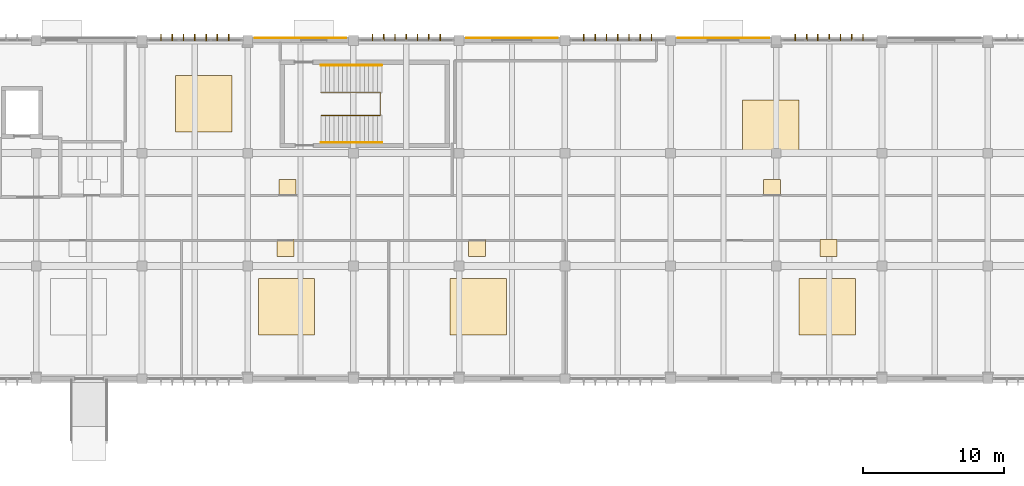
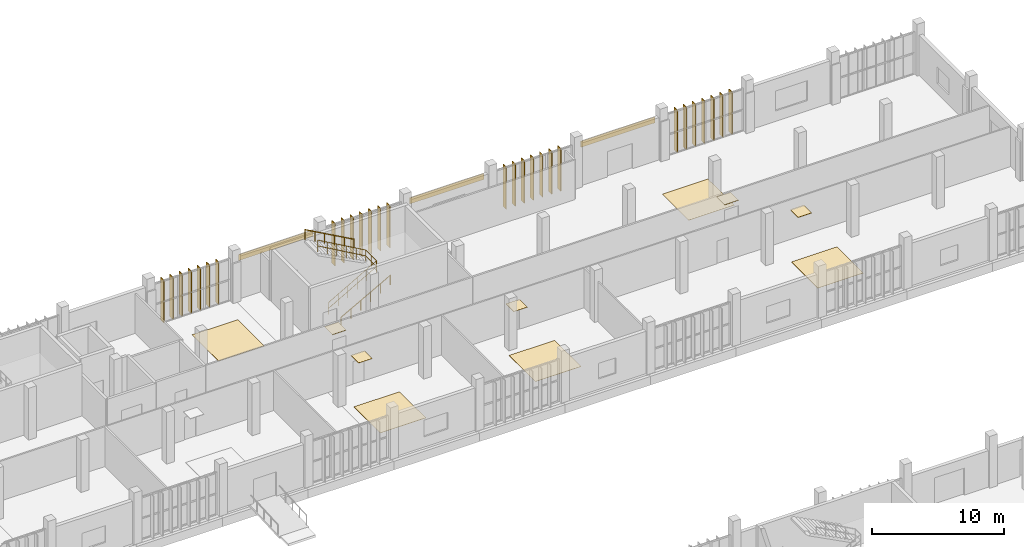
# One storey, part 67 of 72: 28 shading devices, 13 coverings, 3 railings.
"""IFC4 building model written with IfcOpenShell, lengths in metres."""

from ifc_helpers import new_model, si_unit, direction, frame, origin, origin_2d, place, context, subcontext, project, spatial, rectangle, circle, extrude, material, layer, layer_set, material_profile, profile_set, type_object, element, save


model = new_model("IFC4")

# Units and contexts
model_context = context("Model", 3, precision=1e-05, world=origin(), true_north=direction((0.0, 1.0)))
body_context = subcontext(model_context, "Body", "Model", "MODEL_VIEW")
ifc_project = project(units=[si_unit("LENGTHUNIT", "METRE"), si_unit("AREAUNIT", "SQUARE_METRE"), si_unit("VOLUMEUNIT", "CUBIC_METRE"), si_unit("PLANEANGLEUNIT", "RADIAN"), si_unit("MASSUNIT", "GRAM", prefix="KILO")], contexts=[model_context])

# Site, building, storey
site_placement = place(None, origin())
site = spatial("IfcSite", under=ifc_project, at=site_placement, CompositionType="ELEMENT")
building_placement = place(site_placement, origin())
building = spatial("IfcBuilding", under=site, at=building_placement, Name="Vourika Railside Aquatics Centre", CompositionType="ELEMENT")
storey_placement = place(building_placement, origin())
storey = spatial("IfcBuildingStorey", under=building, at=storey_placement, Name="L00", CompositionType="ELEMENT", Elevation=0.0)

# Coverings
ifc_material_1 = material(Name="Perforated moisture-resistant acoustic gypsum ceiling")
ifc_layer_1 = layer(ifc_material_1, 0.02490234375, Name="COV-CEIL-25")
ifc_layer_set_1 = layer_set([ifc_layer_1], Name="Perforated moisture-resistant acoustic gypsum ceiling")
covering_type_1 = type_object("IfcCoveringType", Name="COV-CEIL-25", PredefinedType="CEILING", material=ifc_layer_set_1)
for number, where, z_axis, x_axis, name in (
    (1, (76.3349609375, 105.52001953125, 2.637451171875), (0.0, 0.0, 1.0), (1.0, 0.0, 0.0), "Sports-Medicine Clinic Reception and Waiting Acoustic Ceiling Panel"),
    (2, (76.169921875, 101.280029296875, 2.637451171875), (0.0, 0.0, 1.0), (1.0, 0.0, 0.0), "Sports Traumatology Consultation Suite Acoustic Ceiling Panel"),
    (3, (89.77001953125, 101.280029296875, 2.637451171875), (0.0, 0.0, 1.0), (1.0, 0.0, 0.0), "Athlete Cardiac Screening Lounge Acoustic Ceiling Panel"),
    (4, (114.699951171875, 101.280029296875, 2.637451171875), (0.0, 0.0, 1.0), (1.0, 0.0, 0.0), "Diagnostic Imaging and Triage Suite Acoustic Ceiling Panel"),
    (5, (110.705078125, 105.52001953125, 2.637451171875), (0.0, 0.0, 1.0), (1.0, 0.0, 0.0), "Rehabilitation Physiotherapy Lounge Acoustic Ceiling Panel"),
):
    element("IfcCovering", number, at=place(storey_placement, frame(where, z_axis=z_axis, x_axis=x_axis)), inside=storey, type_object=covering_type_1, Name=name, PredefinedType="CEILING", context=body_context, shape_type="SweptSolid", body=[
        extrude(rectangle(XDim=1.199951171875, YDim=1.199951171875, at=origin_2d()), origin(), (0.0, 0.0, 1.0), 0.02490234375),
    ])
ifc_material_2 = material(Name="Bronze-anodized aluminium rainscreen", Category="aluminium")
ifc_layer_2 = layer(ifc_material_2, 0.044921875, Name="COV-CLAD-45")
ifc_layer_set_2 = layer_set([ifc_layer_2], Name="Bronze-anodized aluminium rainscreen")
covering_type_2 = type_object("IfcCoveringType", Name="COV-CLAD-45", PredefinedType="CLADDING", material=ifc_layer_set_2)
for number, where, z_axis, x_axis, name in (
    (6, (77.25, 116.179931640625, 3.30517578125), (0.0, 0.0, 1.0), (-1.0, 0.0, 0.0), "Perforated Bronze Rainscreen Band CL-045"),
    (7, (92.25, 116.179931640625, 3.30517578125), (0.0, 0.0, 1.0), (-1.0, 0.0, 0.0), "Perforated Bronze Rainscreen Band CL-046"),
    (8, (107.25, 116.179931640625, 3.30517578125), (0.0, 0.0, 1.0), (-1.0, 0.0, 0.0), "Perforated Bronze Rainscreen Band CL-047"),
):
    element("IfcCovering", number, at=place(storey_placement, frame(where, z_axis=z_axis, x_axis=x_axis)), inside=storey, type_object=covering_type_2, Name=name, PredefinedType="CLADDING", context=body_context, shape_type="SweptSolid", body=[
        extrude(rectangle(XDim=6.5, YDim=0.044921875, at=origin_2d()), origin(), (0.0, 0.0, 1.0), 0.550048828125),
    ])
ifc_material_3 = material(Name="Slip-resistant aqua ceramic sports flooring")
ifc_layer_3 = layer(ifc_material_3, 0.02001953125, Name="COV-FLOR-20")
ifc_layer_set_3 = layer_set([ifc_layer_3], Name="Slip-resistant aqua ceramic sports flooring")
covering_type_3 = type_object("IfcCoveringType", Name="COV-FLOR-20", PredefinedType="FLOORING", material=ifc_layer_set_3)
for number, where, z_axis, x_axis, name in (
    (9, (70.3798828125, 111.5, 0.0), (0.0, 0.0, 1.0), (1.0, 0.0, 0.0), "Sports-Medicine Clinic Reception and Waiting Sports Flooring Panel"),
    (10, (76.25, 97.10009765625, 0.0), (0.0, 0.0, 1.0), (1.0, 0.0, 0.0), "Sports Traumatology Consultation Suite Sports Flooring Panel"),
    (11, (89.85009765625, 97.10009765625, 0.0), (0.0, 0.0, 1.0), (1.0, 0.0, 0.0), "Athlete Cardiac Screening Lounge Sports Flooring Panel"),
    (12, (114.60009765625, 97.10009765625, 0.0), (0.0, 0.0, 1.0), (1.0, 0.0, 0.0), "Diagnostic Imaging and Triage Suite Sports Flooring Panel"),
    (13, (110.60009765625, 109.77490234375, 0.0), (0.0, 0.0, 1.0), (1.0, 0.0, 0.0), "Rehabilitation Physiotherapy Lounge Sports Flooring Panel"),
):
    element("IfcCovering", number, at=place(storey_placement, frame(where, z_axis=z_axis, x_axis=x_axis)), inside=storey, type_object=covering_type_3, Name=name, PredefinedType="FLOORING", context=body_context, shape_type="SweptSolid", body=[
        extrude(rectangle(XDim=4.0, YDim=4.0, at=origin_2d()), origin(), (0.0, 0.0, 1.0), 0.02001953125),
    ])

# Railings
ifc_material_4 = material(Name="Duplex stainless steel EN 1.4462", Category="steel")
railing_type_1 = type_object("IfcRailingType", Name="RL-HAND-920", PredefinedType="HANDRAIL", material=ifc_material_4)
railing_1_placement = place(storey_placement, frame((78.699951171875, 108.760009765625, 0.0)))
element("IfcRailing", 14, at=railing_1_placement, inside=storey, type_object=railing_type_1, Name="Protected Exit Stair Core ST03 Lower Wall Handrail (L00)", PredefinedType="HANDRAIL", context=body_context, shape_type="SweptSolid", body=[
    extrude(circle(Radius=0.02392578125, at=origin_2d()), frame((0.0, 0.0, 0.89599609375), z_axis=(0.873783640258, 0.0, 0.486314867157), x_axis=(0.0, 1.0, 0.0)), (0.0, 0.0, 1.0), 4.934814453125),
    extrude(circle(Radius=0.02099609375, at=origin_2d()), origin(), (0.0, 0.0, 1.0), 0.871826171875),
    extrude(circle(Radius=0.02099609375, at=origin_2d()), frame((0.8623046875, 0.0, 0.47998046875)), (0.0, 0.0, 1.0), 0.871826171875),
    extrude(circle(Radius=0.02099609375, at=origin_2d()), frame((1.724853515625, 0.0, 0.9599609375)), (0.0, 0.0, 1.0), 0.871826171875),
    extrude(circle(Radius=0.02099609375, at=origin_2d()), frame((2.587158203125, 0.0, 1.43994140625)), (0.0, 0.0, 1.0), 0.871826171875),
    extrude(circle(Radius=0.02099609375, at=origin_2d()), frame((3.44970703125, 0.0, 1.919921875)), (0.0, 0.0, 1.0), 0.871826171875),
    extrude(circle(Radius=0.02099609375, at=origin_2d()), frame((4.31201171875, 0.0, 2.39990234375)), (0.0, 0.0, 1.0), 0.871826171875),
])
railing_2_placement = place(storey_placement, frame((83.011962890625, 114.239990234375, 2.39990234375)))
element("IfcRailing", 15, at=railing_2_placement, inside=storey, type_object=railing_type_1, Name="Protected Exit Stair Core ST03 Upper Wall Handrail (L00)", PredefinedType="HANDRAIL", context=body_context, shape_type="SweptSolid", body=[
    extrude(circle(Radius=0.02392578125, at=origin_2d()), frame((0.0, 0.0, 0.89599609375), z_axis=(-0.873762617393, 0.0, 0.486352637956), x_axis=(0.0, -1.0, 0.0)), (0.0, 0.0, 1.0), 4.93505859375),
    extrude(circle(Radius=0.02099609375, at=origin_2d()), origin(), (0.0, 0.0, 1.0), 0.871826171875),
    extrude(circle(Radius=0.02099609375, at=origin_2d()), frame((-0.8623046875, 0.0, 0.47998046875)), (0.0, 0.0, 1.0), 0.871826171875),
    extrude(circle(Radius=0.02099609375, at=origin_2d()), frame((-1.724853515625, 0.0, 0.9599609375)), (0.0, 0.0, 1.0), 0.871826171875),
    extrude(circle(Radius=0.02099609375, at=origin_2d()), frame((-2.587158203125, 0.0, 1.440185546875)), (0.0, 0.0, 1.0), 0.871826171875),
    extrude(circle(Radius=0.02099609375, at=origin_2d()), frame((-3.44970703125, 0.0, 1.920166015625)), (0.0, 0.0, 1.0), 0.871826171875),
    extrude(circle(Radius=0.02099609375, at=origin_2d()), frame((-4.31201171875, 0.0, 2.400146484375)), (0.0, 0.0, 1.0), 0.871826171875),
])
railing_type_2 = type_object("IfcRailingType", Name="RL-STAIR-1120", PredefinedType="BALUSTRADE", material=ifc_material_4)
railing_3_placement = place(storey_placement, frame((78.699951171875, 110.679931640625, 0.0)))
element("IfcRailing", 16, at=railing_3_placement, inside=storey, type_object=railing_type_2, Name="Protected Exit Stair Core ST03 Center Well Guard (L00)", PredefinedType="BALUSTRADE", context=body_context, shape_type="SweptSolid", body=[
    extrude(circle(Radius=0.02392578125, at=origin_2d()), frame((0.0, 0.0, 1.09619140625), z_axis=(0.868868469825, 0.0, 0.495043010397), x_axis=(0.0, 1.0, 0.0)), (0.0, 0.0, 1.0), 4.847900390625),
    extrude(circle(Radius=0.02392578125, at=origin_2d()), frame((0.0, 0.0, 0.56005859375), z_axis=(0.868868469825, 0.0, 0.495043010397), x_axis=(0.0, 1.0, 0.0)), (0.0, 0.0, 1.0), 4.847900390625),
    extrude(circle(Radius=0.02392578125, at=origin_2d()), frame((4.212158203125, 0.0, 3.49609375), z_axis=(0.0, 1.0, 0.0), x_axis=(-1.0, 0.0, 0.0)), (0.0, 0.0, 1.0), 1.64013671875),
    extrude(circle(Radius=0.02392578125, at=origin_2d()), frame((4.212158203125, 0.0, 2.9599609375), z_axis=(0.0, 1.0, 0.0), x_axis=(-1.0, 0.0, 0.0)), (0.0, 0.0, 1.0), 1.64013671875),
    extrude(circle(Radius=0.02392578125, at=origin_2d()), frame((4.212158203125, 1.64013671875, 3.49609375), z_axis=(-0.868846808141, 0.0, 0.495081027695), x_axis=(0.0, -1.0, 0.0)), (0.0, 0.0, 1.0), 4.847900390625),
    extrude(circle(Radius=0.02392578125, at=origin_2d()), frame((4.212158203125, 1.64013671875, 2.9599609375), z_axis=(-0.868846808141, 0.0, 0.495081027695), x_axis=(0.0, -1.0, 0.0)), (0.0, 0.0, 1.0), 4.847900390625),
    extrude(circle(Radius=0.02099609375, at=origin_2d()), origin(), (0.0, 0.0, 1.0), 1.072021484375),
    extrude(circle(Radius=0.02099609375, at=origin_2d()), frame((0.842529296875, 0.0, 0.47998046875)), (0.0, 0.0, 1.0), 1.072021484375),
    extrude(circle(Radius=0.02099609375, at=origin_2d()), frame((1.684814453125, 0.0, 0.9599609375)), (0.0, 0.0, 1.0), 1.072021484375),
    extrude(circle(Radius=0.02099609375, at=origin_2d()), frame((2.52734375, 0.0, 1.43994140625)), (0.0, 0.0, 1.0), 1.072021484375),
    extrude(circle(Radius=0.02099609375, at=origin_2d()), frame((3.36962890625, 0.0, 1.919921875)), (0.0, 0.0, 1.0), 1.072021484375),
    extrude(circle(Radius=0.02099609375, at=origin_2d()), frame((4.212158203125, 0.0, 2.39990234375)), (0.0, 0.0, 1.0), 1.072021484375),
    extrude(circle(Radius=0.02099609375, at=origin_2d()), frame((4.212158203125, 0.820068359375, 2.39990234375)), (0.0, 0.0, 1.0), 1.072021484375),
    extrude(circle(Radius=0.02099609375, at=origin_2d()), frame((4.212158203125, 1.64013671875, 2.39990234375)), (0.0, 0.0, 1.0), 1.072021484375),
    extrude(circle(Radius=0.02099609375, at=origin_2d()), frame((3.36962890625, 1.64013671875, 2.8798828125)), (0.0, 0.0, 1.0), 1.072021484375),
    extrude(circle(Radius=0.02099609375, at=origin_2d()), frame((2.52734375, 1.64013671875, 3.35986328125)), (0.0, 0.0, 1.0), 1.072021484375),
    extrude(circle(Radius=0.02099609375, at=origin_2d()), frame((1.684814453125, 1.64013671875, 3.840087890625)), (0.0, 0.0, 1.0), 1.072021484375),
    extrude(circle(Radius=0.02099609375, at=origin_2d()), frame((0.842529296875, 1.64013671875, 4.320068359375)), (0.0, 0.0, 1.0), 1.072021484375),
    extrude(circle(Radius=0.02099609375, at=origin_2d()), frame((0.0, 1.64013671875, 4.800048828125)), (0.0, 0.0, 1.0), 1.072021484375),
])

# Shading devices
ifc_material_5 = material(Name="Bronze-anodized extruded aluminium", Category="aluminium")
ifc_material_profile = material_profile(ifc_material_5, rectangle(XDim=0.06005859375, YDim=0.47998046875, at=origin_2d()), Name="ALU-FIN 60x480")
ifc_profile_set = profile_set([ifc_material_profile], Name="Bronze-anodized extruded aluminium")
shading_device_type = type_object("IfcShadingDeviceType", Name="SHD-FIN-F48A", PredefinedType="USERDEFINED", material=ifc_profile_set)
for number, where, z_axis, x_axis, name in (
    (17, (67.35009765625, 116.215087890625, 0.0), (0.0, 0.0, 1.0), (1.0, 0.0, 0.0), "Vertical Solar Fin VSF-0607"),
    (18, (68.14990234375, 116.215087890625, 0.0), (0.0, 0.0, 1.0), (1.0, 0.0, 0.0), "Vertical Solar Fin VSF-0608"),
    (19, (68.949951171875, 116.215087890625, 0.0), (0.0, 0.0, 1.0), (1.0, 0.0, 0.0), "Vertical Solar Fin VSF-0609"),
    (20, (69.75, 116.215087890625, 0.0), (0.0, 0.0, 1.0), (1.0, 0.0, 0.0), "Vertical Solar Fin VSF-0610"),
    (21, (70.550048828125, 116.215087890625, 0.0), (0.0, 0.0, 1.0), (1.0, 0.0, 0.0), "Vertical Solar Fin VSF-0611"),
    (22, (71.35009765625, 116.215087890625, 0.0), (0.0, 0.0, 1.0), (1.0, 0.0, 0.0), "Vertical Solar Fin VSF-0612"),
    (23, (72.14990234375, 116.215087890625, 0.0), (0.0, 0.0, 1.0), (1.0, 0.0, 0.0), "Vertical Solar Fin VSF-0613"),
    (24, (82.35009765625, 116.215087890625, 0.0), (0.0, 0.0, 1.0), (1.0, 0.0, 0.0), "Vertical Solar Fin VSF-0614"),
    (25, (83.14990234375, 116.215087890625, 0.0), (0.0, 0.0, 1.0), (1.0, 0.0, 0.0), "Vertical Solar Fin VSF-0615"),
    (26, (83.949951171875, 116.215087890625, 0.0), (0.0, 0.0, 1.0), (1.0, 0.0, 0.0), "Vertical Solar Fin VSF-0616"),
    (27, (84.75, 116.215087890625, 0.0), (0.0, 0.0, 1.0), (1.0, 0.0, 0.0), "Vertical Solar Fin VSF-0617"),
    (28, (85.550048828125, 116.215087890625, 0.0), (0.0, 0.0, 1.0), (1.0, 0.0, 0.0), "Vertical Solar Fin VSF-0618"),
    (29, (86.35009765625, 116.215087890625, 0.0), (0.0, 0.0, 1.0), (1.0, 0.0, 0.0), "Vertical Solar Fin VSF-0619"),
    (30, (87.14990234375, 116.215087890625, 0.0), (0.0, 0.0, 1.0), (1.0, 0.0, 0.0), "Vertical Solar Fin VSF-0620"),
    (31, (97.35009765625, 116.215087890625, 0.0), (0.0, 0.0, 1.0), (1.0, 0.0, 0.0), "Vertical Solar Fin VSF-0621"),
    (32, (98.14990234375, 116.215087890625, 0.0), (0.0, 0.0, 1.0), (1.0, 0.0, 0.0), "Vertical Solar Fin VSF-0622"),
    (33, (98.949951171875, 116.215087890625, 0.0), (0.0, 0.0, 1.0), (1.0, 0.0, 0.0), "Vertical Solar Fin VSF-0623"),
    (34, (99.75, 116.215087890625, 0.0), (0.0, 0.0, 1.0), (1.0, 0.0, 0.0), "Vertical Solar Fin VSF-0624"),
    (35, (100.550048828125, 116.215087890625, 0.0), (0.0, 0.0, 1.0), (1.0, 0.0, 0.0), "Vertical Solar Fin VSF-0625"),
    (36, (101.35009765625, 116.215087890625, 0.0), (0.0, 0.0, 1.0), (1.0, 0.0, 0.0), "Vertical Solar Fin VSF-0626"),
    (37, (102.14990234375, 116.215087890625, 0.0), (0.0, 0.0, 1.0), (1.0, 0.0, 0.0), "Vertical Solar Fin VSF-0627"),
    (38, (112.35009765625, 116.215087890625, 0.0), (0.0, 0.0, 1.0), (1.0, 0.0, 0.0), "Vertical Solar Fin VSF-0628"),
    (39, (113.14990234375, 116.215087890625, 0.0), (0.0, 0.0, 1.0), (1.0, 0.0, 0.0), "Vertical Solar Fin VSF-0629"),
    (40, (113.949951171875, 116.215087890625, 0.0), (0.0, 0.0, 1.0), (1.0, 0.0, 0.0), "Vertical Solar Fin VSF-0630"),
    (41, (114.75, 116.215087890625, 0.0), (0.0, 0.0, 1.0), (1.0, 0.0, 0.0), "Vertical Solar Fin VSF-0631"),
    (42, (115.550048828125, 116.215087890625, 0.0), (0.0, 0.0, 1.0), (1.0, 0.0, 0.0), "Vertical Solar Fin VSF-0632"),
    (43, (116.35009765625, 116.215087890625, 0.0), (0.0, 0.0, 1.0), (1.0, 0.0, 0.0), "Vertical Solar Fin VSF-0633"),
    (44, (117.14990234375, 116.215087890625, 0.0), (0.0, 0.0, 1.0), (1.0, 0.0, 0.0), "Vertical Solar Fin VSF-0634"),
):
    element("IfcShadingDevice", number, at=place(storey_placement, frame(where, z_axis=z_axis, x_axis=x_axis)), inside=storey, type_object=shading_device_type, Name=name, ObjectType="FIN", PredefinedType="USERDEFINED", context=body_context, shape_type="SweptSolid", body=[
        extrude(rectangle(XDim=0.06005859375, YDim=0.47998046875, at=origin_2d()), origin(), (0.0, 0.0, 1.0), 3.929931640625),
    ])

save(model, "model.ifc")
